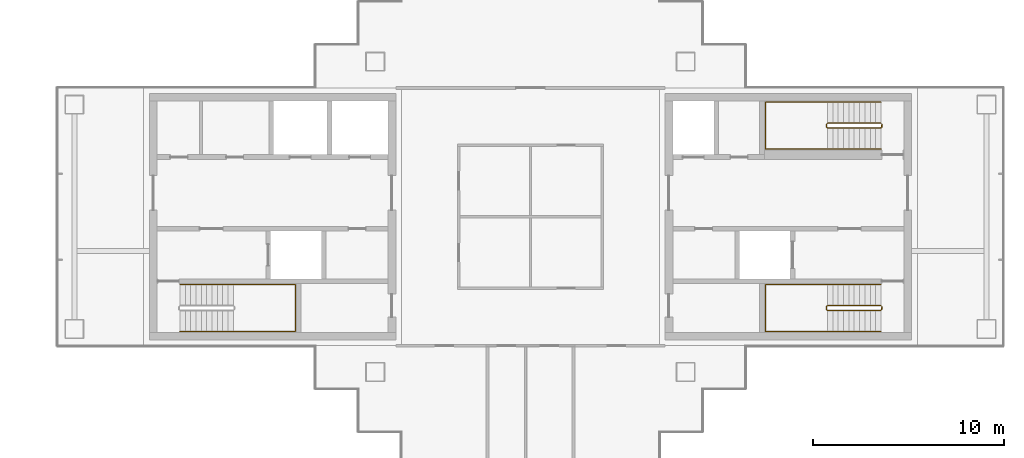
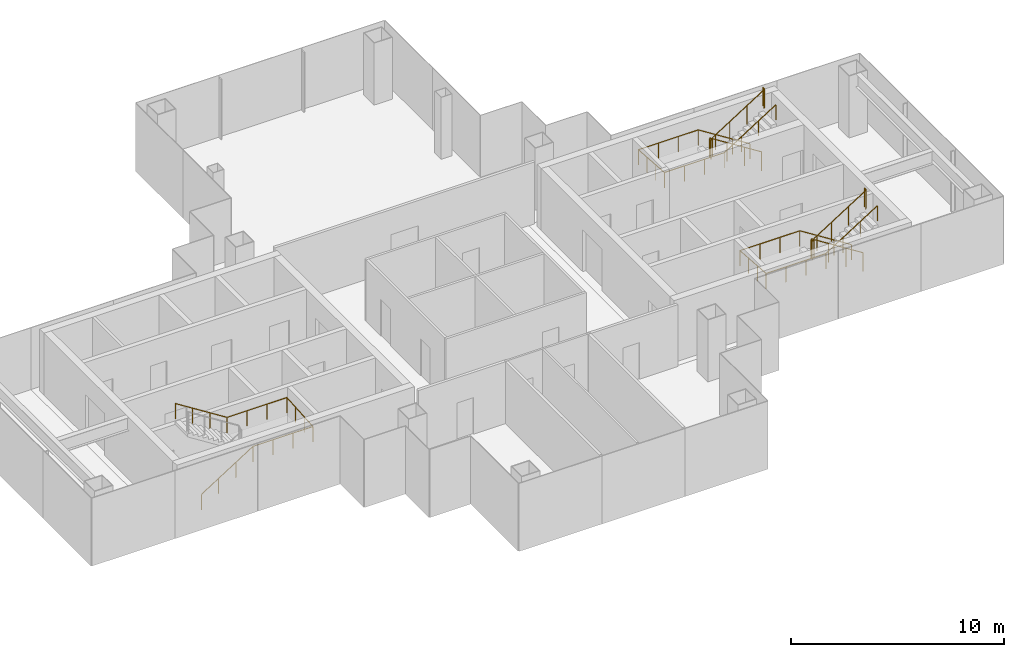
# One storey, part 14 of 15: 5 railings.
"""IFC4 building model written with IfcOpenShell, lengths in metres."""

from ifc_helpers import new_model, si_unit, direction, frame, origin, origin_2d, place, context, subcontext, project, spatial, circle, extrude, material, type_object, element, save


model = new_model("IFC4")

# Units and contexts
model_context = context("Model", 3, precision=1e-05, world=origin(), true_north=direction((0.0, 1.0)))
body_context = subcontext(model_context, "Body", "Model", "MODEL_VIEW")
ifc_project = project(units=[si_unit("LENGTHUNIT", "METRE"), si_unit("AREAUNIT", "SQUARE_METRE"), si_unit("VOLUMEUNIT", "CUBIC_METRE"), si_unit("PLANEANGLEUNIT", "RADIAN"), si_unit("MASSUNIT", "GRAM", prefix="KILO")], contexts=[model_context])

# Site, building, storey
site_placement = place(None, origin())
site = spatial("IfcSite", under=ifc_project, at=site_placement, CompositionType="ELEMENT")
building_placement = place(site_placement, origin())
building = spatial("IfcBuilding", under=site, at=building_placement, Name="Shamsa Quay Exchange Towers", CompositionType="ELEMENT")
storey_placement = place(building_placement, frame((0.0, 0.0, 202.199951171875)))
storey = spatial("IfcBuildingStorey", under=building, at=storey_placement, Name="L48", CompositionType="ELEMENT", Elevation=202.199951171875)

# Railings
ifc_material = material(Name="Stainless steel", Category="steel")
railing_type_1 = type_object("IfcRailingType", Name="STAIR GUARD 1100", PredefinedType="GUARDRAIL", material=ifc_material)
railing_1_placement = place(storey_placement, frame((52.10009765625, -4.64990234375, 0.17724609375)))
element("IfcRailing", 1, at=railing_1_placement, inside=storey, type_object=railing_type_1, Name="L48 ST5 stair guard 1", PredefinedType="GUARDRAIL", context=body_context, shape_type="SweptSolid", body=[
    extrude(circle(Radius=0.02392578125, at=origin_2d()), frame((0.0, 0.0, 1.076171875), z_axis=(-0.844908973607, 0.0, 0.534910110503), x_axis=(0.0, -1.0, 0.0)), (0.0, 0.0, 1.0), 3.31396484375),
    extrude(circle(Radius=0.02392578125, at=origin_2d()), frame((-2.800048828125, 0.0, 2.8486328125), z_axis=(-0.707106781187, -0.707106781187, 0.0), x_axis=(0.707106781187, -0.707106781187, 0.0)), (0.0, 0.0, 1.0), 0.07080078125),
    extrude(circle(Radius=0.02392578125, at=origin_2d()), frame((-2.85009765625, -0.050048828125, 2.8486328125), z_axis=(0.0, -1.0, 0.0), x_axis=(1.0, 0.0, 0.0)), (0.0, 0.0, 1.0), 0.150146484375),
    extrude(circle(Radius=0.02392578125, at=origin_2d()), frame((-2.85009765625, -0.2001953125, 2.8486328125), z_axis=(0.262009983441, -0.260731885961, 0.929176868105), x_axis=(0.705375805398, 0.708833529934, 0.0)), (0.0, 0.0, 1.0), 0.19091796875),
    extrude(circle(Radius=0.02392578125, at=origin_2d()), frame((-2.800048828125, -0.25, 3.0263671875), z_axis=(0.844908973607, 0.0, 0.534910110503), x_axis=(0.0, 1.0, 0.0)), (0.0, 0.0, 1.0), 3.31396484375),
    extrude(circle(Radius=0.02392578125, at=origin_2d()), frame((0.0, -0.25, 4.798828125), z_axis=(0.241699205484, 0.970351222016, 0.0), x_axis=(-0.970351222016, 0.241699205484, 0.0)), (0.0, 0.0, 1.0), 0.2060546875),
    extrude(circle(Radius=0.02392578125, at=origin_2d()), frame((0.0498046875, -0.050048828125, 4.798828125), z_axis=(0.0, -1.0, 0.0), x_axis=(1.0, 0.0, 0.0)), (0.0, 0.0, 1.0), 0.150146484375),
    extrude(circle(Radius=0.02099609375, at=origin_2d()), origin(), (0.0, 0.0, 1.0), 1.052001953125),
    extrude(circle(Radius=0.02099609375, at=origin_2d()), frame((-0.933349609375, 0.0, 0.5908203125)), (0.0, 0.0, 1.0), 1.052001953125),
    extrude(circle(Radius=0.02099609375, at=origin_2d()), frame((-1.86669921875, 0.0, 1.181884765625)), (0.0, 0.0, 1.0), 1.052001953125),
    extrude(circle(Radius=0.02099609375, at=origin_2d()), frame((-2.800048828125, 0.0, 1.772705078125)), (0.0, 0.0, 1.0), 1.052001953125),
    extrude(circle(Radius=0.02099609375, at=origin_2d()), frame((-2.85009765625, -0.050048828125, 1.772705078125)), (0.0, 0.0, 1.0), 1.052001953125),
    extrude(circle(Radius=0.02099609375, at=origin_2d()), frame((-2.85009765625, -0.2001953125, 1.772705078125)), (0.0, 0.0, 1.0), 1.052001953125),
    extrude(circle(Radius=0.02099609375, at=origin_2d()), frame((-2.800048828125, -0.25, 1.9501953125)), (0.0, 0.0, 1.0), 1.052001953125),
    extrude(circle(Radius=0.02099609375, at=origin_2d()), frame((-1.86669921875, -0.25, 2.541015625)), (0.0, 0.0, 1.0), 1.052001953125),
    extrude(circle(Radius=0.02099609375, at=origin_2d()), frame((-0.933349609375, -0.25, 3.132080078125)), (0.0, 0.0, 1.0), 1.052001953125),
    extrude(circle(Radius=0.02099609375, at=origin_2d()), frame((0.0, -0.25, 3.722900390625)), (0.0, 0.0, 1.0), 1.052001953125),
    extrude(circle(Radius=0.02099609375, at=origin_2d()), frame((0.0498046875, -0.050048828125, 3.722900390625)), (0.0, 0.0, 1.0), 1.052001953125),
    extrude(circle(Radius=0.02099609375, at=origin_2d()), frame((0.0498046875, -0.2001953125, 3.722900390625)), (0.0, 0.0, 1.0), 1.052001953125),
])
railing_2_placement = place(storey_placement, frame((52.10009765625, 4.89990234375, 0.17724609375)))
element("IfcRailing", 2, at=railing_2_placement, inside=storey, type_object=railing_type_1, Name="L48 ST6 stair guard 1", PredefinedType="GUARDRAIL", context=body_context, shape_type="SweptSolid", body=[
    extrude(circle(Radius=0.02392578125, at=origin_2d()), frame((0.0, 0.0, 1.076171875), z_axis=(-0.844908973607, 0.0, 0.534910110503), x_axis=(0.0, -1.0, 0.0)), (0.0, 0.0, 1.0), 3.31396484375),
    extrude(circle(Radius=0.02392578125, at=origin_2d()), frame((-2.800048828125, 0.0, 2.8486328125), z_axis=(-0.708833529934, -0.705375805398, 0.0), x_axis=(0.705375805398, -0.708833529934, 0.0)), (0.0, 0.0, 1.0), 0.070556640625),
    extrude(circle(Radius=0.02392578125, at=origin_2d()), frame((-2.85009765625, -0.0498046875, 2.8486328125), z_axis=(0.0, -1.0, 0.0), x_axis=(1.0, 0.0, 0.0)), (0.0, 0.0, 1.0), 0.150146484375),
    extrude(circle(Radius=0.02392578125, at=origin_2d()), frame((-2.85009765625, -0.199951171875, 2.8486328125), z_axis=(0.261922500866, -0.261922500866, 0.928866625022), x_axis=(0.707106781187, 0.707106781187, 0.0)), (0.0, 0.0, 1.0), 0.191162109375),
    extrude(circle(Radius=0.02392578125, at=origin_2d()), frame((-2.800048828125, -0.25, 3.0263671875), z_axis=(0.844908973607, 0.0, 0.534910110503), x_axis=(0.0, 1.0, 0.0)), (0.0, 0.0, 1.0), 3.31396484375),
    extrude(circle(Radius=0.02392578125, at=origin_2d()), frame((0.0, -0.25, 4.798828125), z_axis=(0.24142163986, 0.970420317083, 0.0), x_axis=(-0.970420317083, 0.24142163986, 0.0)), (0.0, 0.0, 1.0), 0.206298828125),
    extrude(circle(Radius=0.02392578125, at=origin_2d()), frame((0.0498046875, -0.0498046875, 4.798828125), z_axis=(0.0, -1.0, 0.0), x_axis=(1.0, 0.0, 0.0)), (0.0, 0.0, 1.0), 0.150146484375),
    extrude(circle(Radius=0.02099609375, at=origin_2d()), origin(), (0.0, 0.0, 1.0), 1.052001953125),
    extrude(circle(Radius=0.02099609375, at=origin_2d()), frame((-0.933349609375, 0.0, 0.5908203125)), (0.0, 0.0, 1.0), 1.052001953125),
    extrude(circle(Radius=0.02099609375, at=origin_2d()), frame((-1.86669921875, 0.0, 1.181884765625)), (0.0, 0.0, 1.0), 1.052001953125),
    extrude(circle(Radius=0.02099609375, at=origin_2d()), frame((-2.800048828125, 0.0, 1.772705078125)), (0.0, 0.0, 1.0), 1.052001953125),
    extrude(circle(Radius=0.02099609375, at=origin_2d()), frame((-2.85009765625, -0.0498046875, 1.772705078125)), (0.0, 0.0, 1.0), 1.052001953125),
    extrude(circle(Radius=0.02099609375, at=origin_2d()), frame((-2.85009765625, -0.199951171875, 1.772705078125)), (0.0, 0.0, 1.0), 1.052001953125),
    extrude(circle(Radius=0.02099609375, at=origin_2d()), frame((-2.800048828125, -0.25, 1.9501953125)), (0.0, 0.0, 1.0), 1.052001953125),
    extrude(circle(Radius=0.02099609375, at=origin_2d()), frame((-1.86669921875, -0.25, 2.541015625)), (0.0, 0.0, 1.0), 1.052001953125),
    extrude(circle(Radius=0.02099609375, at=origin_2d()), frame((-0.933349609375, -0.25, 3.132080078125)), (0.0, 0.0, 1.0), 1.052001953125),
    extrude(circle(Radius=0.02099609375, at=origin_2d()), frame((0.0, -0.25, 3.722900390625)), (0.0, 0.0, 1.0), 1.052001953125),
    extrude(circle(Radius=0.02099609375, at=origin_2d()), frame((0.0498046875, -0.0498046875, 3.722900390625)), (0.0, 0.0, 1.0), 1.052001953125),
    extrude(circle(Radius=0.02099609375, at=origin_2d()), frame((0.0498046875, -0.199951171875, 3.722900390625)), (0.0, 0.0, 1.0), 1.052001953125),
])
railing_type_2 = type_object("IfcRailingType", Name="STAIR HANDRAIL 900", PredefinedType="HANDRAIL", material=ifc_material)
railing_3_placement = place(storey_placement, frame((15.39990234375, -6.0, 0.17724609375)))
element("IfcRailing", 3, at=railing_3_placement, inside=storey, type_object=railing_type_2, Name="L48 ST4 stair handrail 1", PredefinedType="HANDRAIL", context=body_context, shape_type="SweptSolid", body=[
    extrude(circle(Radius=0.02392578125, at=origin_2d()), frame((0.0, 0.0, 0.8759765625), z_axis=(0.844908973607, 0.0, 0.534910110503), x_axis=(0.0, 1.0, 0.0)), (0.0, 0.0, 1.0), 3.31396484375),
    extrude(circle(Radius=0.02392578125, at=origin_2d()), frame((2.800048828125, 0.0, 2.6484375), z_axis=(1.0, 0.0, 0.0), x_axis=(0.0, 1.0, 0.0)), (0.0, 0.0, 1.0), 3.25),
    extrude(circle(Radius=0.02392578125, at=origin_2d()), frame((6.050048828125, 0.0, 2.6484375), z_axis=(0.0, 0.997386041853, 0.072257065513), x_axis=(-1.0, 0.0, 0.0)), (0.0, 0.0, 1.0), 2.456298828125),
    extrude(circle(Radius=0.02392578125, at=origin_2d()), frame((6.050048828125, 2.449951171875, 2.826171875), z_axis=(-1.0, 0.0, 0.0), x_axis=(0.0, -1.0, 0.0)), (0.0, 0.0, 1.0), 3.25),
    extrude(circle(Radius=0.02392578125, at=origin_2d()), frame((2.800048828125, 2.449951171875, 2.826171875), z_axis=(-0.844908973607, 0.0, 0.534910110503), x_axis=(0.0, -1.0, 0.0)), (0.0, 0.0, 1.0), 3.31396484375),
    extrude(circle(Radius=0.02099609375, at=origin_2d()), origin(), (0.0, 0.0, 1.0), 0.851806640625),
    extrude(circle(Radius=0.02099609375, at=origin_2d()), frame((0.933349609375, 0.0, 0.5908203125)), (0.0, 0.0, 1.0), 0.851806640625),
    extrude(circle(Radius=0.02099609375, at=origin_2d()), frame((1.86669921875, 0.0, 1.181884765625)), (0.0, 0.0, 1.0), 0.851806640625),
    extrude(circle(Radius=0.02099609375, at=origin_2d()), frame((2.800048828125, 0.0, 1.772705078125)), (0.0, 0.0, 1.0), 0.851806640625),
    extrude(circle(Radius=0.02099609375, at=origin_2d()), frame((3.88330078125, 0.0, 1.772705078125)), (0.0, 0.0, 1.0), 0.851806640625),
    extrude(circle(Radius=0.02099609375, at=origin_2d()), frame((4.966796875, 0.0, 1.772705078125)), (0.0, 0.0, 1.0), 0.851806640625),
    extrude(circle(Radius=0.02099609375, at=origin_2d()), frame((6.050048828125, 0.0, 1.772705078125)), (0.0, 0.0, 1.0), 0.851806640625),
    extrude(circle(Radius=0.02099609375, at=origin_2d()), frame((6.050048828125, 0.816650390625, 1.831787109375)), (0.0, 0.0, 1.0), 0.851806640625),
    extrude(circle(Radius=0.02099609375, at=origin_2d()), frame((6.050048828125, 1.63330078125, 1.89111328125)), (0.0, 0.0, 1.0), 0.851806640625),
    extrude(circle(Radius=0.02099609375, at=origin_2d()), frame((6.050048828125, 2.449951171875, 1.9501953125)), (0.0, 0.0, 1.0), 0.851806640625),
    extrude(circle(Radius=0.02099609375, at=origin_2d()), frame((4.966796875, 2.449951171875, 1.9501953125)), (0.0, 0.0, 1.0), 0.851806640625),
    extrude(circle(Radius=0.02099609375, at=origin_2d()), frame((3.88330078125, 2.449951171875, 1.9501953125)), (0.0, 0.0, 1.0), 0.851806640625),
    extrude(circle(Radius=0.02099609375, at=origin_2d()), frame((2.800048828125, 2.449951171875, 1.9501953125)), (0.0, 0.0, 1.0), 0.851806640625),
    extrude(circle(Radius=0.02099609375, at=origin_2d()), frame((1.86669921875, 2.449951171875, 2.541015625)), (0.0, 0.0, 1.0), 0.851806640625),
    extrude(circle(Radius=0.02099609375, at=origin_2d()), frame((0.933349609375, 2.449951171875, 3.132080078125)), (0.0, 0.0, 1.0), 0.851806640625),
    extrude(circle(Radius=0.02099609375, at=origin_2d()), frame((0.0, 2.449951171875, 3.722900390625)), (0.0, 0.0, 1.0), 0.851806640625),
])
railing_4_placement = place(storey_placement, frame((52.10009765625, -3.550048828125, 0.17724609375)))
element("IfcRailing", 4, at=railing_4_placement, inside=storey, type_object=railing_type_2, Name="L48 ST5 stair handrail 1", PredefinedType="HANDRAIL", context=body_context, shape_type="SweptSolid", body=[
    extrude(circle(Radius=0.02392578125, at=origin_2d()), frame((0.0, 0.0, 0.8759765625), z_axis=(-0.844908973607, 0.0, 0.534910110503), x_axis=(0.0, -1.0, 0.0)), (0.0, 0.0, 1.0), 3.31396484375),
    extrude(circle(Radius=0.02392578125, at=origin_2d()), frame((-2.800048828125, 0.0, 2.6484375), z_axis=(-1.0, 0.0, 0.0), x_axis=(0.0, -1.0, 0.0)), (0.0, 0.0, 1.0), 3.25),
    extrude(circle(Radius=0.02392578125, at=origin_2d()), frame((-6.050048828125, 0.0, 2.6484375), z_axis=(0.0, -0.997386041853, 0.072257065513), x_axis=(1.0, 0.0, 0.0)), (0.0, 0.0, 1.0), 2.456298828125),
    extrude(circle(Radius=0.02392578125, at=origin_2d()), frame((-6.050048828125, -2.449951171875, 2.826171875), z_axis=(1.0, 0.0, 0.0), x_axis=(0.0, 1.0, 0.0)), (0.0, 0.0, 1.0), 3.25),
    extrude(circle(Radius=0.02392578125, at=origin_2d()), frame((-2.800048828125, -2.449951171875, 2.826171875), z_axis=(0.844908973607, 0.0, 0.534910110503), x_axis=(0.0, 1.0, 0.0)), (0.0, 0.0, 1.0), 3.31396484375),
    extrude(circle(Radius=0.02099609375, at=origin_2d()), origin(), (0.0, 0.0, 1.0), 0.851806640625),
    extrude(circle(Radius=0.02099609375, at=origin_2d()), frame((-0.933349609375, 0.0, 0.5908203125)), (0.0, 0.0, 1.0), 0.851806640625),
    extrude(circle(Radius=0.02099609375, at=origin_2d()), frame((-1.86669921875, 0.0, 1.181884765625)), (0.0, 0.0, 1.0), 0.851806640625),
    extrude(circle(Radius=0.02099609375, at=origin_2d()), frame((-2.800048828125, 0.0, 1.772705078125)), (0.0, 0.0, 1.0), 0.851806640625),
    extrude(circle(Radius=0.02099609375, at=origin_2d()), frame((-3.88330078125, 0.0, 1.772705078125)), (0.0, 0.0, 1.0), 0.851806640625),
    extrude(circle(Radius=0.02099609375, at=origin_2d()), frame((-4.966796875, 0.0, 1.772705078125)), (0.0, 0.0, 1.0), 0.851806640625),
    extrude(circle(Radius=0.02099609375, at=origin_2d()), frame((-6.050048828125, 0.0, 1.772705078125)), (0.0, 0.0, 1.0), 0.851806640625),
    extrude(circle(Radius=0.02099609375, at=origin_2d()), frame((-6.050048828125, -0.816650390625, 1.831787109375)), (0.0, 0.0, 1.0), 0.851806640625),
    extrude(circle(Radius=0.02099609375, at=origin_2d()), frame((-6.050048828125, -1.63330078125, 1.89111328125)), (0.0, 0.0, 1.0), 0.851806640625),
    extrude(circle(Radius=0.02099609375, at=origin_2d()), frame((-6.050048828125, -2.449951171875, 1.9501953125)), (0.0, 0.0, 1.0), 0.851806640625),
    extrude(circle(Radius=0.02099609375, at=origin_2d()), frame((-4.966796875, -2.449951171875, 1.9501953125)), (0.0, 0.0, 1.0), 0.851806640625),
    extrude(circle(Radius=0.02099609375, at=origin_2d()), frame((-3.88330078125, -2.449951171875, 1.9501953125)), (0.0, 0.0, 1.0), 0.851806640625),
    extrude(circle(Radius=0.02099609375, at=origin_2d()), frame((-2.800048828125, -2.449951171875, 1.9501953125)), (0.0, 0.0, 1.0), 0.851806640625),
    extrude(circle(Radius=0.02099609375, at=origin_2d()), frame((-1.86669921875, -2.449951171875, 2.541015625)), (0.0, 0.0, 1.0), 0.851806640625),
    extrude(circle(Radius=0.02099609375, at=origin_2d()), frame((-0.933349609375, -2.449951171875, 3.132080078125)), (0.0, 0.0, 1.0), 0.851806640625),
    extrude(circle(Radius=0.02099609375, at=origin_2d()), frame((0.0, -2.449951171875, 3.722900390625)), (0.0, 0.0, 1.0), 0.851806640625),
])
railing_5_placement = place(storey_placement, frame((52.10009765625, 6.0, 0.17724609375)))
element("IfcRailing", 5, at=railing_5_placement, inside=storey, type_object=railing_type_2, Name="L48 ST6 stair handrail 1", PredefinedType="HANDRAIL", context=body_context, shape_type="SweptSolid", body=[
    extrude(circle(Radius=0.02392578125, at=origin_2d()), frame((0.0, 0.0, 0.8759765625), z_axis=(-0.844908973607, 0.0, 0.534910110503), x_axis=(0.0, -1.0, 0.0)), (0.0, 0.0, 1.0), 3.31396484375),
    extrude(circle(Radius=0.02392578125, at=origin_2d()), frame((-2.800048828125, 0.0, 2.6484375), z_axis=(-1.0, 0.0, 0.0), x_axis=(0.0, -1.0, 0.0)), (0.0, 0.0, 1.0), 3.25),
    extrude(circle(Radius=0.02392578125, at=origin_2d()), frame((-6.050048828125, 0.0, 2.6484375), z_axis=(0.0, -0.997386041853, 0.072257065513), x_axis=(1.0, 0.0, 0.0)), (0.0, 0.0, 1.0), 2.456298828125),
    extrude(circle(Radius=0.02392578125, at=origin_2d()), frame((-6.050048828125, -2.449951171875, 2.826171875), z_axis=(1.0, 0.0, 0.0), x_axis=(0.0, 1.0, 0.0)), (0.0, 0.0, 1.0), 3.25),
    extrude(circle(Radius=0.02392578125, at=origin_2d()), frame((-2.800048828125, -2.449951171875, 2.826171875), z_axis=(0.844908973607, 0.0, 0.534910110503), x_axis=(0.0, 1.0, 0.0)), (0.0, 0.0, 1.0), 3.31396484375),
    extrude(circle(Radius=0.02099609375, at=origin_2d()), origin(), (0.0, 0.0, 1.0), 0.851806640625),
    extrude(circle(Radius=0.02099609375, at=origin_2d()), frame((-0.933349609375, 0.0, 0.5908203125)), (0.0, 0.0, 1.0), 0.851806640625),
    extrude(circle(Radius=0.02099609375, at=origin_2d()), frame((-1.86669921875, 0.0, 1.181884765625)), (0.0, 0.0, 1.0), 0.851806640625),
    extrude(circle(Radius=0.02099609375, at=origin_2d()), frame((-2.800048828125, 0.0, 1.772705078125)), (0.0, 0.0, 1.0), 0.851806640625),
    extrude(circle(Radius=0.02099609375, at=origin_2d()), frame((-3.88330078125, 0.0, 1.772705078125)), (0.0, 0.0, 1.0), 0.851806640625),
    extrude(circle(Radius=0.02099609375, at=origin_2d()), frame((-4.966796875, 0.0, 1.772705078125)), (0.0, 0.0, 1.0), 0.851806640625),
    extrude(circle(Radius=0.02099609375, at=origin_2d()), frame((-6.050048828125, 0.0, 1.772705078125)), (0.0, 0.0, 1.0), 0.851806640625),
    extrude(circle(Radius=0.02099609375, at=origin_2d()), frame((-6.050048828125, -0.816650390625, 1.831787109375)), (0.0, 0.0, 1.0), 0.851806640625),
    extrude(circle(Radius=0.02099609375, at=origin_2d()), frame((-6.050048828125, -1.63330078125, 1.89111328125)), (0.0, 0.0, 1.0), 0.851806640625),
    extrude(circle(Radius=0.02099609375, at=origin_2d()), frame((-6.050048828125, -2.449951171875, 1.9501953125)), (0.0, 0.0, 1.0), 0.851806640625),
    extrude(circle(Radius=0.02099609375, at=origin_2d()), frame((-4.966796875, -2.449951171875, 1.9501953125)), (0.0, 0.0, 1.0), 0.851806640625),
    extrude(circle(Radius=0.02099609375, at=origin_2d()), frame((-3.88330078125, -2.449951171875, 1.9501953125)), (0.0, 0.0, 1.0), 0.851806640625),
    extrude(circle(Radius=0.02099609375, at=origin_2d()), frame((-2.800048828125, -2.449951171875, 1.9501953125)), (0.0, 0.0, 1.0), 0.851806640625),
    extrude(circle(Radius=0.02099609375, at=origin_2d()), frame((-1.86669921875, -2.449951171875, 2.541015625)), (0.0, 0.0, 1.0), 0.851806640625),
    extrude(circle(Radius=0.02099609375, at=origin_2d()), frame((-0.933349609375, -2.449951171875, 3.132080078125)), (0.0, 0.0, 1.0), 0.851806640625),
    extrude(circle(Radius=0.02099609375, at=origin_2d()), frame((0.0, -2.449951171875, 3.722900390625)), (0.0, 0.0, 1.0), 0.851806640625),
])

save(model, "model.ifc")
